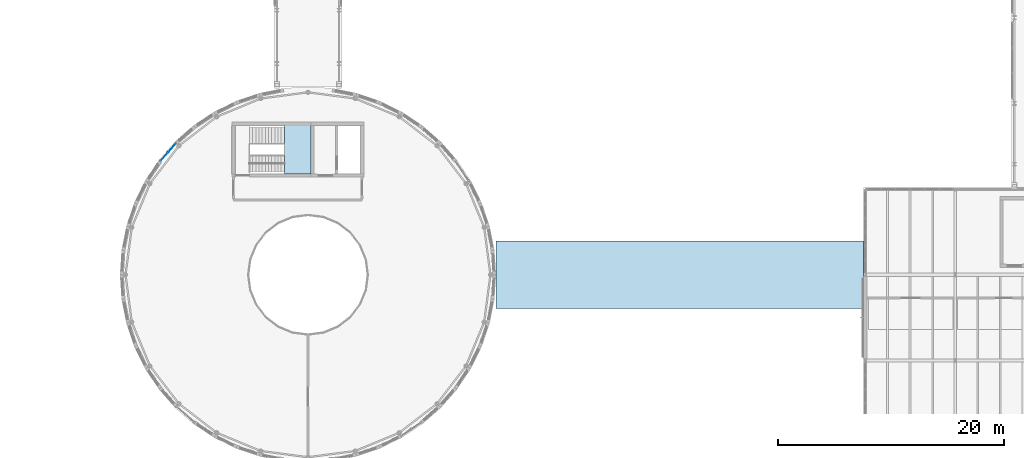
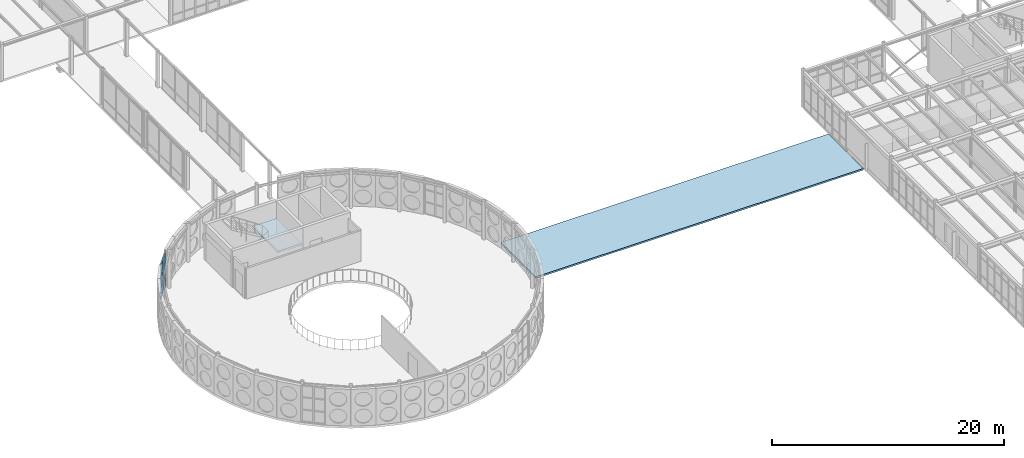
# One storey, part 141 of 189: 6 plates, 2 slabs, 2 elements without a shape of their own.
"""IFC4 building model written with IfcOpenShell, lengths in metres."""

from ifc_helpers import new_model, si_unit, direction, frame, origin, origin_2d, place, context, subcontext, project, spatial, polyline, rectangle, outline, extrude, material, layer, layer_set, type_object, element, aggregate, save


model = new_model("IFC4")

# Units and contexts
model_context = context("Model", 3, precision=1e-05, world=origin(), true_north=direction((0.0, 1.0)))
body_context = subcontext(model_context, "Body", "Model", "MODEL_VIEW")
ifc_project = project(units=[si_unit("LENGTHUNIT", "METRE"), si_unit("AREAUNIT", "SQUARE_METRE"), si_unit("VOLUMEUNIT", "CUBIC_METRE"), si_unit("PLANEANGLEUNIT", "RADIAN"), si_unit("MASSUNIT", "GRAM", prefix="KILO")], contexts=[model_context])

# Site, building, storey
site_placement = place(None, origin())
site = spatial("IfcSite", under=ifc_project, at=site_placement, CompositionType="ELEMENT")
building_placement = place(site_placement, origin())
building = spatial("IfcBuilding", under=site, at=building_placement, Name="Montecoro Central Library", CompositionType="ELEMENT")
storey_placement = place(building_placement, frame((0.0, 0.0, 9.179931640625)))
storey = spatial("IfcBuildingStorey", under=building, at=storey_placement, Name="L02", CompositionType="ELEMENT", Elevation=9.179931640625)

# Curtain wall, plates
ifc_material_1 = material(Name="Bronze-anodised aluminium and low-E glazing", Category="aluminium")
ifc_layer_1 = layer(ifc_material_1, 0.159912109375)
ifc_layer_set_1 = layer_set([ifc_layer_1], Name="Bronze-anodised aluminium and low-E glazing")
curtain_wall_type = type_object("IfcCurtainWallType", Name="CWT-004", PredefinedType="NOTDEFINED", material=ifc_layer_set_1)
curtain_wall_placement = place(storey_placement, origin())
curtain_wall = element("IfcCurtainWall", 1, at=curtain_wall_placement, inside=storey, type_object=curtain_wall_type, Name="V1-L02-CW-19", PredefinedType="NOTDEFINED")
ifc_material_2 = material(Name="Laminated low-E double glazing", Category="glass")
ifc_layer_2 = layer(ifc_material_2, 0.030029296875)
ifc_layer_set_2 = layer_set([ifc_layer_2], Name="Laminated low-E double glazing")
plate_type = type_object("IfcPlateType", Name="CWP-GLZ-02", PredefinedType="CURTAIN_PANEL", material=ifc_layer_set_2)
plate_1_placement = place(storey_placement, frame((79.55029296875, 46.66064453125, 0.06005859375), z_axis=(0.0, 0.0, 1.0), x_axis=(-0.659692012485, -0.751536059457, 0.0)))
plate_1 = element("IfcPlate", 2, at=plate_1_placement, type_object=plate_type, Name="CW-004 panel 1.1", PredefinedType="CURTAIN_PANEL", context=body_context, shape_type="SweptSolid", body=[
    extrude(rectangle(XDim=0.982421875, YDim=0.030029296875, at=origin_2d()), origin(), (0.0, 0.0, 1.0), 1.18994140625),
])
plate_2_placement = place(storey_placement, frame((79.55029296875, 46.66064453125, 1.31005859375), z_axis=(0.0, 0.0, 1.0), x_axis=(-0.659692012485, -0.751536059457, 0.0)))
plate_2 = element("IfcPlate", 3, at=plate_2_placement, type_object=plate_type, Name="CW-004 panel 1.2", PredefinedType="CURTAIN_PANEL", context=body_context, shape_type="SweptSolid", body=[
    extrude(rectangle(XDim=0.982421875, YDim=0.030029296875, at=origin_2d()), origin(), (0.0, 0.0, 1.0), 1.239990234375),
])
plate_3_placement = place(storey_placement, frame((79.55029296875, 46.66064453125, 2.610107421875), z_axis=(0.0, 0.0, 1.0), x_axis=(-0.659692012485, -0.751536059457, 0.0)))
plate_3 = element("IfcPlate", 4, at=plate_3_placement, type_object=plate_type, Name="CW-004 panel 1.3", PredefinedType="CURTAIN_PANEL", context=body_context, shape_type="SweptSolid", body=[
    extrude(rectangle(XDim=0.982421875, YDim=0.030029296875, at=origin_2d()), origin(), (0.0, 0.0, 1.0), 1.18505859375),
])
plate_4_placement = place(storey_placement, frame((78.862548828125, 45.877197265625, 0.06005859375), z_axis=(0.0, 0.0, 1.0), x_axis=(-0.659692012485, -0.751536059457, 0.0)))
plate_4 = element("IfcPlate", 5, at=plate_4_placement, type_object=plate_type, Name="CW-004 panel 2.1", PredefinedType="CURTAIN_PANEL", context=body_context, shape_type="SweptSolid", body=[
    extrude(rectangle(XDim=0.982421875, YDim=0.030029296875, at=origin_2d()), origin(), (0.0, 0.0, 1.0), 1.18994140625),
])
plate_5_placement = place(storey_placement, frame((78.862548828125, 45.877197265625, 1.31005859375), z_axis=(0.0, 0.0, 1.0), x_axis=(-0.659692012485, -0.751536059457, 0.0)))
plate_5 = element("IfcPlate", 6, at=plate_5_placement, type_object=plate_type, Name="CW-004 panel 2.2", PredefinedType="CURTAIN_PANEL", context=body_context, shape_type="SweptSolid", body=[
    extrude(rectangle(XDim=0.982421875, YDim=0.030029296875, at=origin_2d()), origin(), (0.0, 0.0, 1.0), 1.239990234375),
])
plate_6_placement = place(storey_placement, frame((78.862548828125, 45.877197265625, 2.610107421875), z_axis=(0.0, 0.0, 1.0), x_axis=(-0.659692012485, -0.751536059457, 0.0)))
plate_6 = element("IfcPlate", 7, at=plate_6_placement, type_object=plate_type, Name="CW-004 panel 2.3", PredefinedType="CURTAIN_PANEL", context=body_context, shape_type="SweptSolid", body=[
    extrude(rectangle(XDim=0.982421875, YDim=0.030029296875, at=origin_2d()), origin(), (0.0, 0.0, 1.0), 1.18505859375),
])
aggregate(curtain_wall, [plate_1, plate_2, plate_3, plate_4, plate_5, plate_6])

# Stair, slab
ifc_material_3 = material(Name="Concrete C35/45", Category="concrete")
stair_type = type_object("IfcStairType", Name="STR-RET-150", PredefinedType="HALF_TURN_STAIR", material=ifc_material_3)
stair_placement = place(storey_placement, origin())
stair = element("IfcStair", 8, at=stair_placement, inside=storey, type_object=stair_type, Name="C1-L02-STR", PredefinedType="HALF_TURN_STAIR")
ifc_layer_3 = layer(ifc_material_3, 0.199951171875)
ifc_layer_set_3 = layer_set([ifc_layer_3], Name="Concrete C35/45")
slab_type_1 = type_object("IfcSlabType", Name="SL-LND-200", PredefinedType="LANDING", material=ifc_layer_set_3)
slab_1_placement = place(storey_placement, frame((0.0, 0.0, 1.840087890625)))
slab_1 = element("IfcSlab", 9, at=slab_1_placement, type_object=slab_type_1, Name="ST-01 landing 1", PredefinedType="LANDING", context=body_context, shape_type="SweptSolid", body=[
    extrude(outline(polyline([(89.5, 44.320068359375), (91.8798828125, 44.320068359375), (91.8798828125, 48.679931640625), (89.5, 48.679931640625), (89.5, 44.320068359375)])), origin(), (0.0, 0.0, 1.0), 0.199951171875),
])
aggregate(stair, [slab_1])

# Slab
ifc_material_4 = material(Name="Concrete C32/40", Category="concrete")
ifc_layer_4 = layer(ifc_material_4, 0.172119140625)
ifc_layer_set_4 = layer_set([ifc_layer_4], Name="Concrete C32/40")
slab_type_2 = type_object("IfcSlabType", Name="SL-ROOF-172", PredefinedType="ROOF", material=ifc_layer_set_4)
slab_2_placement = place(storey_placement, frame((0.0, 0.0, -0.171875)))
element("IfcSlab", 10, at=slab_2_placement, inside=storey, type_object=slab_type_2, Name="BR-SE Skybridge Link Bridge Slab", PredefinedType="ROOF", context=body_context, shape_type="SweptSolid", body=[
    extrude(outline(polyline([(108.260009765625, 32.39990234375), (140.860107421875, 32.39990234375), (140.860107421875, 38.39990234375), (108.260009765625, 38.39990234375), (108.260009765625, 32.39990234375)])), origin(), (0.0, 0.0, 1.0), 0.171875),
])

save(model, "model.ifc")
